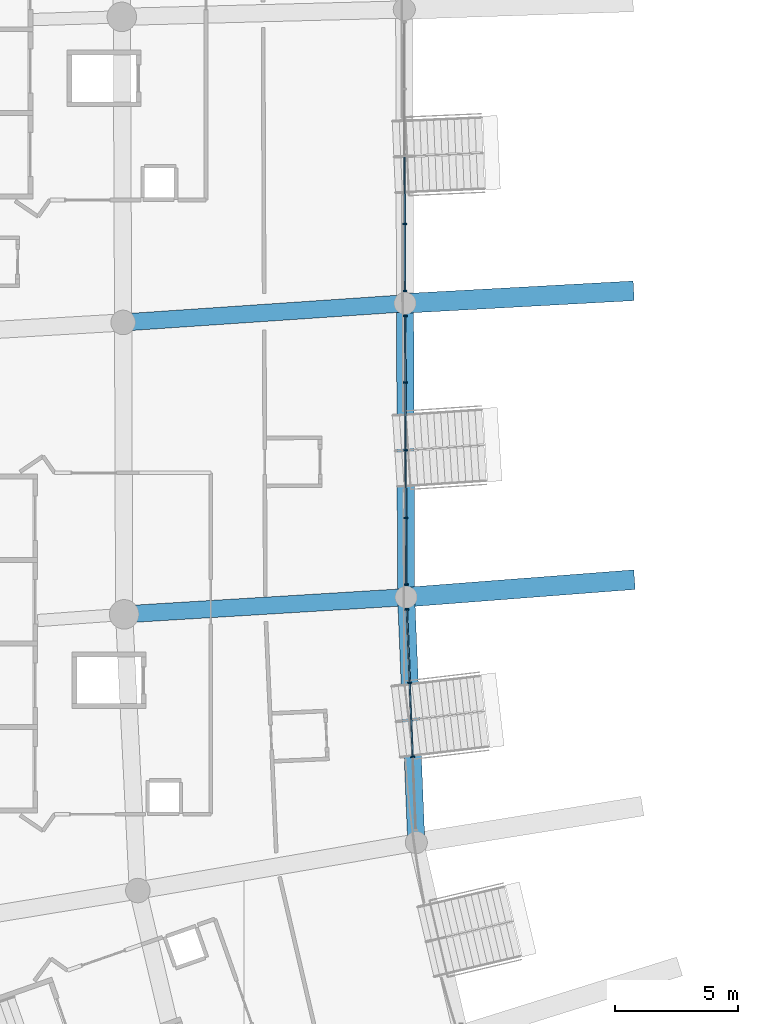
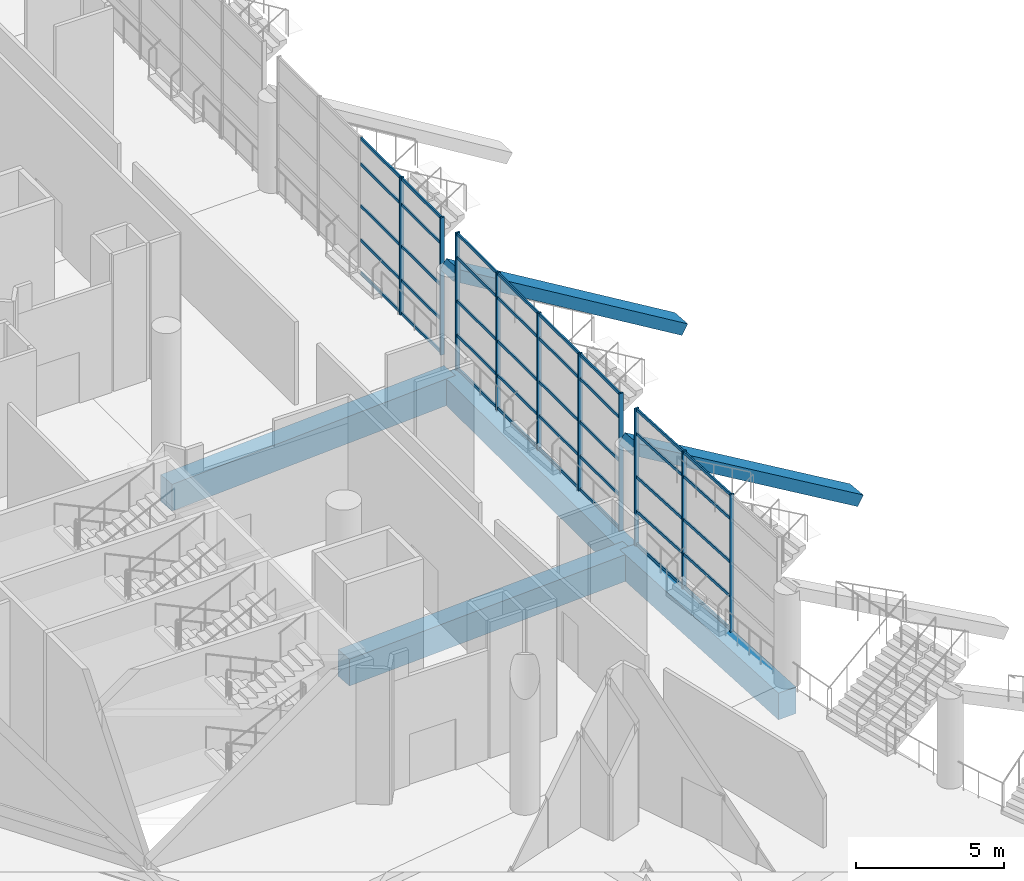
# One storey, part 7 of 173: 50 members, 6 beams, 3 elements without a shape of their own.
"""IFC4 building model written with IfcOpenShell, lengths in metres."""

import ifcopenshell
import ifcopenshell.guid

model = None  # the IFC model being written
_history = None  # IfcOwnerHistory: only IFC2X3 demands one
_inside = {}  # id of a spatial element -> (the spatial element, [elements in it])
_under = {}  # id of a project, library or spatial element -> (it, [spatial elements below it])
_declared = {}  # id of a project -> (the project, [libraries it declares])
_typed = {}  # id of a type object -> (the type object, [elements of that type])
_made_of = {}  # id of a material, layer set ... -> (it, [elements and type objects made of it])


def new_model(schema):
    """Start an empty IFC model of exactly this schema.

    Asked for "IFC4X3", IfcOpenShell would pick the latest addendum, in which some entities
    have other attributes; the version numbers below select the first issue.
    IFC2X3 requires an IfcOwnerHistory on every rooted entity: one is made here for all.
    """
    global model, _history
    if schema == "IFC4X3":
        model = ifcopenshell.file(schema_version=(4, 3, 0, 0))
    else:
        model = ifcopenshell.file(schema=schema)
    _inside.clear()
    _under.clear()
    _declared.clear()
    _typed.clear()
    _made_of.clear()
    _history = None
    if model.schema == "IFC2X3":
        org = make("IfcOrganization", Name="unknown")
        user = make(
            "IfcPersonAndOrganization",
            ThePerson=make("IfcPerson", FamilyName="unknown"),
            TheOrganization=org,
        )
        app = make(
            "IfcApplication",
            ApplicationDeveloper=org,
            Version="unknown",
            ApplicationFullName="unknown",
            ApplicationIdentifier="unknown",
        )
        _history = make(
            "IfcOwnerHistory",
            OwningUser=user,
            OwningApplication=app,
            ChangeAction="ADDED",
            CreationDate=0,
        )
    return model


def make(cls, **values):
    """One entity of the class cls with the attributes given. An attribute that is None is left unset."""
    return model.create_entity(
        cls, **{name: value for name, value in values.items() if value is not None}
    )


def rooted(cls, **values):
    """An entity with a GlobalId (a new one), such as an element, a storey or a relation."""
    return make(cls, GlobalId=ifcopenshell.guid.new(), OwnerHistory=_history, **values)


def si_unit(unit_type, name, prefix=None):
    """IfcSIUnit, for example si_unit("LENGTHUNIT", "METRE", prefix="MILLI")."""
    return make("IfcSIUnit", UnitType=unit_type, Prefix=prefix, Name=name)


def assignment(units):
    """IfcUnitAssignment: the units of a project."""
    return None if units is None else make("IfcUnitAssignment", Units=units)


def point(xyz):
    """IfcCartesianPoint."""
    return None if xyz is None else make("IfcCartesianPoint", Coordinates=xyz)


def direction(xyz):
    """IfcDirection."""
    return None if xyz is None else make("IfcDirection", DirectionRatios=xyz)


def frame(location, z_axis=None, x_axis=None):
    """IfcAxis2Placement3D, a coordinate frame: its origin and axes. An axis left out is left unset."""
    return make(
        "IfcAxis2Placement3D",
        Location=point(location),
        Axis=direction(z_axis),
        RefDirection=direction(x_axis),
    )


def frame_2d(location, x_axis=None):
    """IfcAxis2Placement2D, a coordinate frame in the plane: its origin and x axis."""
    return make(
        "IfcAxis2Placement2D", Location=point(location), RefDirection=direction(x_axis)
    )


def origin():
    """The frame at (0, 0, 0) with its axes left unset."""
    return frame((0.0, 0.0, 0.0))


def origin_2d():
    """The frame at (0, 0) in the plane with its x axis left unset."""
    return frame_2d((0.0, 0.0))


def place(relative_to, where):
    """IfcLocalPlacement: puts the frame where relative to a parent placement (None: the world)."""
    return make(
        "IfcLocalPlacement", PlacementRelTo=relative_to, RelativePlacement=where
    )


def context(
    kind, dimensions, precision=None, world=None, true_north=None, identifier=None
):
    """IfcGeometricRepresentationContext, for example the 3D "Model" context."""
    return make(
        "IfcGeometricRepresentationContext",
        ContextIdentifier=identifier,
        ContextType=kind,
        CoordinateSpaceDimension=dimensions,
        Precision=precision,
        WorldCoordinateSystem=world,
        TrueNorth=true_north,
    )


def subcontext(parent, identifier, kind, view, scale=None):
    """IfcGeometricRepresentationSubContext, for example "Body" below "Model"."""
    return make(
        "IfcGeometricRepresentationSubContext",
        ContextIdentifier=identifier,
        ContextType=kind,
        ParentContext=parent,
        TargetScale=scale,
        TargetView=view,
    )


def project(units=None, contexts=None):
    """IfcProject with its units and contexts."""
    return rooted(
        "IfcProject",
        Name="project",
        RepresentationContexts=contexts,
        UnitsInContext=assignment(units),
    )


def spatial(cls, under=None, at=None, **own):
    """A site, building, storey or space (cls), placed at a placement, below another one or the project."""
    s = rooted(cls, ObjectPlacement=at, **own)
    if under is not None:
        _under.setdefault(under.id(), (under, []))[1].append(s)
    return s


def profile(cls, at=None, kind="AREA", **sizes):
    """A parametric profile (cls). Its sizes go by their IFC names, for example OverallWidth=200.0."""
    return make(cls, ProfileType=kind, Position=at, **sizes)


def rectangle(**sizes):
    """IfcRectangleProfileDef."""
    return profile("IfcRectangleProfileDef", **sizes)


def extrude(swept, where, along, depth):
    """IfcExtrudedAreaSolid: the profile swept, set in the frame where, extruded along a direction by depth."""
    return make(
        "IfcExtrudedAreaSolid",
        SweptArea=swept,
        Position=where,
        ExtrudedDirection=direction(along),
        Depth=depth,
    )


def shape(context_of_items, identifier, shape_type, items):
    """IfcShapeRepresentation: the items that make up one representation, for example the "Body"."""
    return make(
        "IfcShapeRepresentation",
        ContextOfItems=context_of_items,
        RepresentationIdentifier=identifier,
        RepresentationType=shape_type,
        Items=items,
    )


def material(Name=None, Category=None):
    """IfcMaterial."""
    return make("IfcMaterial", Name=Name, Category=Category)


def layer(
    of_material, thickness, ventilated=None, Name=None, Category=None, Priority=None
):
    """IfcMaterialLayer: one layer of a wall or slab, of a material (None: an air gap)."""
    return make(
        "IfcMaterialLayer",
        Material=of_material,
        LayerThickness=thickness,
        IsVentilated=ventilated,
        Name=Name,
        Category=Category,
        Priority=Priority,
    )


def layer_set(layers, Name=None):
    """IfcMaterialLayerSet."""
    return make("IfcMaterialLayerSet", MaterialLayers=layers, LayerSetName=Name)


def material_profile(
    of_material, cross_section, Name=None, Category=None, Priority=None
):
    """IfcMaterialProfile: a cross section and its material."""
    return make(
        "IfcMaterialProfile",
        Name=Name,
        Material=of_material,
        Profile=cross_section,
        Priority=Priority,
        Category=Category,
    )


def profile_set(profiles, Name=None, composite=None):
    """IfcMaterialProfileSet."""
    return make(
        "IfcMaterialProfileSet",
        Name=Name,
        MaterialProfiles=profiles,
        CompositeProfile=composite,
    )


def made_of(thing, what):
    """Note that an element or type object is made of a material, layer set ...; save() writes the relation."""
    if what is not None:
        _made_of.setdefault(what.id(), (what, []))[1].append(thing)
    return thing


def type_object(cls, material=None, **own):
    """A type object (cls), such as IfcWallType, which elements share."""
    return made_of(rooted(cls, **own), material)


def element(
    cls,
    number,
    at=None,
    inside=None,
    cuts=None,
    type_object=None,
    material=None,
    context=None,
    identifier="Body",
    shape_type=None,
    held_by="IfcProductDefinitionShape",
    body=None,
    shapes=None,
    **own,
):
    """One element of the class cls, such as IfcWall. Its Tag is "e" and its number.

    at: its placement. inside: the storey or other place that contains it. cuts: it is an
    opening in that element (IfcRelVoidsElement). A single representation is given by context,
    identifier, shape_type and body (its items); several are given by shapes. held_by: the class
    of the entity that holds the representations. save() writes the other relations.
    """
    e = rooted(cls, Tag="e%d" % number, ObjectPlacement=at, **own)
    if body is not None:
        shapes = [shape(context, identifier, shape_type, body)]
    if shapes is not None:
        e.Representation = make(held_by, Representations=shapes)
    if inside is not None:
        _inside.setdefault(inside.id(), (inside, []))[1].append(e)
    if cuts is not None:
        rooted(
            "IfcRelVoidsElement", RelatingBuildingElement=cuts, RelatedOpeningElement=e
        )
    if type_object is not None:
        _typed.setdefault(type_object.id(), (type_object, []))[1].append(e)
    return made_of(e, material)


def aggregate(whole, parts):
    """IfcRelAggregates: a whole, such as a stair, and the parts it consists of."""
    return rooted("IfcRelAggregates", RelatingObject=whole, RelatedObjects=parts)


def save(model, path):
    """Write the relations noted so far, then the file.

    IfcRelAggregates (storeys below a building ...), IfcRelContainedInSpatialStructure (elements
    in a storey), IfcRelDefinesByType, IfcRelAssociatesMaterial and IfcRelDeclares: one each for
    every whole, place, type object, material and project.
    """
    for whole, parts in _under.values():
        aggregate(whole, parts)
    for where, things in _inside.values():
        rooted(
            "IfcRelContainedInSpatialStructure",
            RelatedElements=things,
            RelatingStructure=where,
        )
    for kind, things in _typed.values():
        rooted("IfcRelDefinesByType", RelatedObjects=things, RelatingType=kind)
    for what, things in _made_of.values():
        rooted("IfcRelAssociatesMaterial", RelatedObjects=things, RelatingMaterial=what)
    for by, libraries in _declared.values():
        rooted("IfcRelDeclares", RelatingContext=by, RelatedDefinitions=libraries)
    model.write(path)


model = new_model("IFC4")

# Units and contexts
model_context = context("Model", 3, precision=1e-05, world=origin(), true_north=direction((0.0, 1.0)))
body_context = subcontext(model_context, "Body", "Model", "MODEL_VIEW")
ifc_project = project(units=[si_unit("LENGTHUNIT", "METRE"), si_unit("AREAUNIT", "SQUARE_METRE"), si_unit("VOLUMEUNIT", "CUBIC_METRE"), si_unit("PLANEANGLEUNIT", "RADIAN"), si_unit("MASSUNIT", "GRAM", prefix="KILO")], contexts=[model_context])

# Site, building, storey
site_placement = place(None, origin())
site = spatial("IfcSite", under=ifc_project, at=site_placement, CompositionType="ELEMENT")
building_placement = place(site_placement, origin())
building = spatial("IfcBuilding", under=site, at=building_placement, Name="Meseta Stadium", CompositionType="ELEMENT")
storey_placement = place(building_placement, frame((0.0, 0.0, 18.0)))
storey = spatial("IfcBuildingStorey", under=building, at=storey_placement, Name="L03", CompositionType="ELEMENT", Elevation=18.0)

# Curtain wall, members
ifc_material_1 = material(Name="Aluminium", Category="aluminium")
ifc_layer = layer(ifc_material_1, 0.25)
ifc_layer_set = layer_set([ifc_layer], Name="Media Centre glazing curtain wall")
curtain_wall_type = type_object("IfcCurtainWallType", Name="Media Centre glazing curtain wall", PredefinedType="NOTDEFINED", material=ifc_layer_set)
curtain_wall_1_placement = place(storey_placement, origin())
curtain_wall_1 = element("IfcCurtainWall", 1, at=curtain_wall_1_placement, inside=storey, type_object=curtain_wall_type, Name="Media Centre glazing bay 34", PredefinedType="NOTDEFINED")
ifc_material_2 = material(Name="Aluminium", Category="aluminium")
ifc_material_profile_1 = material_profile(ifc_material_2, rectangle(XDim=0.159912109375, YDim=0.06005859375, at=origin_2d()), Name="CW 160x60")
ifc_profile_set_1 = profile_set([ifc_material_profile_1], Name="Aluminium")
member_type_1 = type_object("IfcMemberType", Name="CW mullion 60x160", PredefinedType="MULLION", material=ifc_profile_set_1)
member_1_placement = place(storey_placement, frame((-73.459716796875, -26.674072265625, 0.0), z_axis=(0.0, 0.0, 1.0), x_axis=(0.999996605564, 0.002605544184, 0.0)))
member_1 = element("IfcMember", 2, at=member_1_placement, type_object=member_type_1, Name="CWM mullion 4", PredefinedType="MULLION", context=body_context, shape_type="SweptSolid", body=[
    extrude(rectangle(XDim=0.159912109375, YDim=0.06005859375, at=origin_2d()), origin(), (0.0, 0.0, 1.0), 5.64990234375),
])
member_2_placement = place(storey_placement, frame((-73.45263671875, -29.39453125, 0.0), z_axis=(0.0, 0.0, 1.0), x_axis=(0.999996605564, 0.002605544184, 0.0)))
member_2 = element("IfcMember", 3, at=member_2_placement, type_object=member_type_1, Name="CWM mullion 5", PredefinedType="MULLION", context=body_context, shape_type="SweptSolid", body=[
    extrude(rectangle(XDim=0.159912109375, YDim=0.06005859375, at=origin_2d()), origin(), (0.0, 0.0, 1.0), 5.64990234375),
])

curtain_wall_2_placement = place(storey_placement, origin())
curtain_wall_2 = element("IfcCurtainWall", 4, at=curtain_wall_2_placement, inside=storey, type_object=curtain_wall_type, Name="Media Centre glazing bay 35", PredefinedType="NOTDEFINED")
member_3_placement = place(storey_placement, frame((-73.44921875, -30.41357421875, 0.0), z_axis=(0.0, 0.0, 1.0), x_axis=(0.999992414042, 0.003895107102, 0.0)))
member_3 = element("IfcMember", 5, at=member_3_placement, type_object=member_type_1, Name="CWM mullion 1", PredefinedType="MULLION", context=body_context, shape_type="SweptSolid", body=[
    extrude(rectangle(XDim=0.159912109375, YDim=0.06005859375, at=origin_2d()), origin(), (0.0, 0.0, 1.0), 5.64990234375),
])
member_4_placement = place(storey_placement, frame((-73.438720703125, -33.13330078125, 0.0), z_axis=(0.0, 0.0, 1.0), x_axis=(0.999992414042, 0.003895107102, 0.0)))
member_4 = element("IfcMember", 6, at=member_4_placement, type_object=member_type_1, Name="CWM mullion 2", PredefinedType="MULLION", context=body_context, shape_type="SweptSolid", body=[
    extrude(rectangle(XDim=0.159912109375, YDim=0.06005859375, at=origin_2d()), origin(), (0.0, 0.0, 1.0), 5.64990234375),
])
member_5_placement = place(storey_placement, frame((-73.427978515625, -35.8828125, 0.0), z_axis=(0.0, 0.0, 1.0), x_axis=(0.999992414042, 0.003895107102, 0.0)))
member_5 = element("IfcMember", 7, at=member_5_placement, type_object=member_type_1, Name="CWM mullion 3", PredefinedType="MULLION", context=body_context, shape_type="SweptSolid", body=[
    extrude(rectangle(XDim=0.159912109375, YDim=0.06005859375, at=origin_2d()), origin(), (0.0, 0.0, 1.0), 5.64990234375),
])
member_6_placement = place(storey_placement, frame((-73.417236328125, -38.63232421875, 0.0), z_axis=(0.0, 0.0, 1.0), x_axis=(0.999992414042, 0.003895107102, 0.0)))
member_6 = element("IfcMember", 8, at=member_6_placement, type_object=member_type_1, Name="CWM mullion 4", PredefinedType="MULLION", context=body_context, shape_type="SweptSolid", body=[
    extrude(rectangle(XDim=0.159912109375, YDim=0.06005859375, at=origin_2d()), origin(), (0.0, 0.0, 1.0), 5.64990234375),
])
member_7_placement = place(storey_placement, frame((-73.40673828125, -41.35205078125, 0.0), z_axis=(0.0, 0.0, 1.0), x_axis=(0.999992414042, 0.003895107102, 0.0)))
member_7 = element("IfcMember", 9, at=member_7_placement, type_object=member_type_1, Name="CWM mullion 5", PredefinedType="MULLION", context=body_context, shape_type="SweptSolid", body=[
    extrude(rectangle(XDim=0.159912109375, YDim=0.06005859375, at=origin_2d()), origin(), (0.0, 0.0, 1.0), 5.64990234375),
])

curtain_wall_3_placement = place(storey_placement, origin())
curtain_wall_3 = element("IfcCurtainWall", 10, at=curtain_wall_3_placement, inside=storey, type_object=curtain_wall_type, Name="Media Centre glazing bay 36", PredefinedType="NOTDEFINED")
member_8_placement = place(storey_placement, frame((-73.3837890625, -42.37109375, 0.0), z_axis=(0.0, 0.0, 1.0), x_axis=(0.999147810841, 0.041275320623, 0.0)))
member_8 = element("IfcMember", 11, at=member_8_placement, type_object=member_type_1, Name="CWM mullion 1", PredefinedType="MULLION", context=body_context, shape_type="SweptSolid", body=[
    extrude(rectangle(XDim=0.159912109375, YDim=0.06005859375, at=origin_2d()), origin(), (0.0, 0.0, 1.0), 5.64990234375),
])
member_9_placement = place(storey_placement, frame((-73.2607421875, -45.34912109375, 0.0), z_axis=(0.0, 0.0, 1.0), x_axis=(0.999147810841, 0.041275320623, 0.0)))
member_9 = element("IfcMember", 12, at=member_9_placement, type_object=member_type_1, Name="CWM mullion 2", PredefinedType="MULLION", context=body_context, shape_type="SweptSolid", body=[
    extrude(rectangle(XDim=0.159912109375, YDim=0.06005859375, at=origin_2d()), origin(), (0.0, 0.0, 1.0), 5.64990234375),
])
member_10_placement = place(storey_placement, frame((-73.136474609375, -48.357177734375, 0.0), z_axis=(0.0, 0.0, 1.0), x_axis=(0.999147810841, 0.041275320623, 0.0)))
member_10 = element("IfcMember", 13, at=member_10_placement, type_object=member_type_1, Name="CWM mullion 3", PredefinedType="MULLION", context=body_context, shape_type="SweptSolid", body=[
    extrude(rectangle(XDim=0.159912109375, YDim=0.06005859375, at=origin_2d()), origin(), (0.0, 0.0, 1.0), 5.64990234375),
])

# Member
ifc_material_3 = material(Name="Aluminium", Category="aluminium")
ifc_material_profile_2 = material_profile(ifc_material_3, rectangle(XDim=0.06005859375, YDim=0.1201171875, at=origin_2d()), Name="CW 60x120")
ifc_profile_set_2 = profile_set([ifc_material_profile_2], Name="Aluminium")
member_type_2 = type_object("IfcMemberType", Name="CW transom 60x120", PredefinedType="USERDEFINED", material=ifc_profile_set_2)
member_11_placement = place(storey_placement, frame((-73.466796875, -23.95361328125, 0.06005859375), z_axis=(0.002631569835, -0.999996537414, 0.0), x_axis=(0.999996537414, 0.002631569835, 0.0)))
member_11 = element("IfcMember", 14, at=member_11_placement, type_object=member_type_2, Name="CWM transom 3.1", ObjectType="TRANSOM", PredefinedType="USERDEFINED", context=body_context, shape_type="SweptSolid", body=[
    extrude(rectangle(XDim=0.06005859375, YDim=0.1201171875, at=origin_2d()), origin(), (0.0, 0.0, 1.0), 2.6904296875),
])

member_12_placement = place(storey_placement, frame((-73.466796875, -23.95361328125, 1.41259765625), z_axis=(0.002631569835, -0.999996537414, 0.0), x_axis=(0.999996537414, 0.002631569835, 0.0)))
member_12 = element("IfcMember", 15, at=member_12_placement, type_object=member_type_2, Name="CWM transom 3.2", ObjectType="TRANSOM", PredefinedType="USERDEFINED", context=body_context, shape_type="SweptSolid", body=[
    extrude(rectangle(XDim=0.06005859375, YDim=0.1201171875, at=origin_2d()), origin(), (0.0, 0.0, 1.0), 2.6904296875),
])

member_13_placement = place(storey_placement, frame((-73.466796875, -23.95361328125, 2.824951171875), z_axis=(0.002631569835, -0.999996537414, 0.0), x_axis=(0.999996537414, 0.002631569835, 0.0)))
member_13 = element("IfcMember", 16, at=member_13_placement, type_object=member_type_2, Name="CWM transom 3.3", ObjectType="TRANSOM", PredefinedType="USERDEFINED", context=body_context, shape_type="SweptSolid", body=[
    extrude(rectangle(XDim=0.06005859375, YDim=0.1201171875, at=origin_2d()), origin(), (0.0, 0.0, 1.0), 2.6904296875),
])

member_14_placement = place(storey_placement, frame((-73.466796875, -23.95361328125, 4.53857421875), z_axis=(0.002631569835, -0.999996537414, 0.0), x_axis=(0.999996537414, 0.002631569835, 0.0)))
member_14 = element("IfcMember", 17, at=member_14_placement, type_object=member_type_2, Name="CWM transom 3.4", ObjectType="TRANSOM", PredefinedType="USERDEFINED", context=body_context, shape_type="SweptSolid", body=[
    extrude(rectangle(XDim=0.06005859375, YDim=0.1201171875, at=origin_2d()), origin(), (0.0, 0.0, 1.0), 2.6904296875),
])

member_15_placement = place(storey_placement, frame((-73.466796875, -23.95361328125, 5.590087890625), z_axis=(0.002631569835, -0.999996537414, 0.0), x_axis=(0.999996537414, 0.002631569835, 0.0)))
member_15 = element("IfcMember", 18, at=member_15_placement, type_object=member_type_2, Name="CWM transom 3.5", ObjectType="TRANSOM", PredefinedType="USERDEFINED", context=body_context, shape_type="SweptSolid", body=[
    extrude(rectangle(XDim=0.06005859375, YDim=0.1201171875, at=origin_2d()), origin(), (0.0, 0.0, 1.0), 2.6904296875),
])

member_16_placement = place(storey_placement, frame((-73.459716796875, -26.7041015625, 0.06005859375), z_axis=(0.002661273498, -0.999996458805, 0.0), x_axis=(0.999996458805, 0.002661273498, 0.0)))
member_16 = element("IfcMember", 19, at=member_16_placement, type_object=member_type_2, Name="CWM transom 4.1", ObjectType="TRANSOM", PredefinedType="USERDEFINED", context=body_context, shape_type="SweptSolid", body=[
    extrude(rectangle(XDim=0.06005859375, YDim=0.1201171875, at=origin_2d()), origin(), (0.0, 0.0, 1.0), 2.660400390625),
])

member_17_placement = place(storey_placement, frame((-73.459716796875, -26.7041015625, 1.41259765625), z_axis=(0.002661273498, -0.999996458805, 0.0), x_axis=(0.999996458805, 0.002661273498, 0.0)))
member_17 = element("IfcMember", 20, at=member_17_placement, type_object=member_type_2, Name="CWM transom 4.2", ObjectType="TRANSOM", PredefinedType="USERDEFINED", context=body_context, shape_type="SweptSolid", body=[
    extrude(rectangle(XDim=0.06005859375, YDim=0.1201171875, at=origin_2d()), origin(), (0.0, 0.0, 1.0), 2.660400390625),
])

member_18_placement = place(storey_placement, frame((-73.459716796875, -26.7041015625, 2.824951171875), z_axis=(0.002661273498, -0.999996458805, 0.0), x_axis=(0.999996458805, 0.002661273498, 0.0)))
member_18 = element("IfcMember", 21, at=member_18_placement, type_object=member_type_2, Name="CWM transom 4.3", ObjectType="TRANSOM", PredefinedType="USERDEFINED", context=body_context, shape_type="SweptSolid", body=[
    extrude(rectangle(XDim=0.06005859375, YDim=0.1201171875, at=origin_2d()), origin(), (0.0, 0.0, 1.0), 2.660400390625),
])

member_19_placement = place(storey_placement, frame((-73.459716796875, -26.7041015625, 4.53857421875), z_axis=(0.002661273498, -0.999996458805, 0.0), x_axis=(0.999996458805, 0.002661273498, 0.0)))
member_19 = element("IfcMember", 22, at=member_19_placement, type_object=member_type_2, Name="CWM transom 4.4", ObjectType="TRANSOM", PredefinedType="USERDEFINED", context=body_context, shape_type="SweptSolid", body=[
    extrude(rectangle(XDim=0.06005859375, YDim=0.1201171875, at=origin_2d()), origin(), (0.0, 0.0, 1.0), 2.660400390625),
])

member_20_placement = place(storey_placement, frame((-73.459716796875, -26.7041015625, 5.590087890625), z_axis=(0.002661273498, -0.999996458805, 0.0), x_axis=(0.999996458805, 0.002661273498, 0.0)))
member_20 = element("IfcMember", 23, at=member_20_placement, type_object=member_type_2, Name="CWM transom 4.5", ObjectType="TRANSOM", PredefinedType="USERDEFINED", context=body_context, shape_type="SweptSolid", body=[
    extrude(rectangle(XDim=0.06005859375, YDim=0.1201171875, at=origin_2d()), origin(), (0.0, 0.0, 1.0), 2.660400390625),
])

aggregate(curtain_wall_1, [member_1, member_2, member_11, member_12, member_13, member_14, member_15, member_16, member_17, member_18, member_19, member_20])

member_21_placement = place(storey_placement, frame((-73.44921875, -30.443603515625, 0.06005859375), z_axis=(0.003947096111, -0.999992210186, 0.0), x_axis=(0.999992210186, 0.003947096111, 0.0)))
member_21 = element("IfcMember", 24, at=member_21_placement, type_object=member_type_2, Name="CWM transom 1.1", ObjectType="TRANSOM", PredefinedType="USERDEFINED", context=body_context, shape_type="SweptSolid", body=[
    extrude(rectangle(XDim=0.06005859375, YDim=0.1201171875, at=origin_2d()), origin(), (0.0, 0.0, 1.0), 2.65966796875),
])

member_22_placement = place(storey_placement, frame((-73.44921875, -30.443603515625, 1.41259765625), z_axis=(0.003947096111, -0.999992210186, 0.0), x_axis=(0.999992210186, 0.003947096111, 0.0)))
member_22 = element("IfcMember", 25, at=member_22_placement, type_object=member_type_2, Name="CWM transom 1.2", ObjectType="TRANSOM", PredefinedType="USERDEFINED", context=body_context, shape_type="SweptSolid", body=[
    extrude(rectangle(XDim=0.06005859375, YDim=0.1201171875, at=origin_2d()), origin(), (0.0, 0.0, 1.0), 2.65966796875),
])

member_23_placement = place(storey_placement, frame((-73.44921875, -30.443603515625, 2.824951171875), z_axis=(0.003947096111, -0.999992210186, 0.0), x_axis=(0.999992210186, 0.003947096111, 0.0)))
member_23 = element("IfcMember", 26, at=member_23_placement, type_object=member_type_2, Name="CWM transom 1.3", ObjectType="TRANSOM", PredefinedType="USERDEFINED", context=body_context, shape_type="SweptSolid", body=[
    extrude(rectangle(XDim=0.06005859375, YDim=0.1201171875, at=origin_2d()), origin(), (0.0, 0.0, 1.0), 2.65966796875),
])

member_24_placement = place(storey_placement, frame((-73.44921875, -30.443603515625, 4.609130859375), z_axis=(0.003947096111, -0.999992210186, 0.0), x_axis=(0.999992210186, 0.003947096111, 0.0)))
member_24 = element("IfcMember", 27, at=member_24_placement, type_object=member_type_2, Name="CWM transom 1.4", ObjectType="TRANSOM", PredefinedType="USERDEFINED", context=body_context, shape_type="SweptSolid", body=[
    extrude(rectangle(XDim=0.06005859375, YDim=0.1201171875, at=origin_2d()), origin(), (0.0, 0.0, 1.0), 2.65966796875),
])

member_25_placement = place(storey_placement, frame((-73.44921875, -30.443603515625, 5.590087890625), z_axis=(0.003947096111, -0.999992210186, 0.0), x_axis=(0.999992210186, 0.003947096111, 0.0)))
member_25 = element("IfcMember", 28, at=member_25_placement, type_object=member_type_2, Name="CWM transom 1.5", ObjectType="TRANSOM", PredefinedType="USERDEFINED", context=body_context, shape_type="SweptSolid", body=[
    extrude(rectangle(XDim=0.06005859375, YDim=0.1201171875, at=origin_2d()), origin(), (0.0, 0.0, 1.0), 2.65966796875),
])

member_26_placement = place(storey_placement, frame((-73.4384765625, -33.163330078125, 0.06005859375), z_axis=(0.00390338348, -0.99999238177, 0.0), x_axis=(0.99999238177, 0.00390338348, 0.0)))
member_26 = element("IfcMember", 29, at=member_26_placement, type_object=member_type_2, Name="CWM transom 2.1", ObjectType="TRANSOM", PredefinedType="USERDEFINED", context=body_context, shape_type="SweptSolid", body=[
    extrude(rectangle(XDim=0.06005859375, YDim=0.1201171875, at=origin_2d()), origin(), (0.0, 0.0, 1.0), 2.689453125),
])

member_27_placement = place(storey_placement, frame((-73.4384765625, -33.163330078125, 1.41259765625), z_axis=(0.00390338348, -0.99999238177, 0.0), x_axis=(0.99999238177, 0.00390338348, 0.0)))
member_27 = element("IfcMember", 30, at=member_27_placement, type_object=member_type_2, Name="CWM transom 2.2", ObjectType="TRANSOM", PredefinedType="USERDEFINED", context=body_context, shape_type="SweptSolid", body=[
    extrude(rectangle(XDim=0.06005859375, YDim=0.1201171875, at=origin_2d()), origin(), (0.0, 0.0, 1.0), 2.689453125),
])

member_28_placement = place(storey_placement, frame((-73.4384765625, -33.163330078125, 2.824951171875), z_axis=(0.00390338348, -0.99999238177, 0.0), x_axis=(0.99999238177, 0.00390338348, 0.0)))
member_28 = element("IfcMember", 31, at=member_28_placement, type_object=member_type_2, Name="CWM transom 2.3", ObjectType="TRANSOM", PredefinedType="USERDEFINED", context=body_context, shape_type="SweptSolid", body=[
    extrude(rectangle(XDim=0.06005859375, YDim=0.1201171875, at=origin_2d()), origin(), (0.0, 0.0, 1.0), 2.689453125),
])

member_29_placement = place(storey_placement, frame((-73.4384765625, -33.163330078125, 4.609130859375), z_axis=(0.00390338348, -0.99999238177, 0.0), x_axis=(0.99999238177, 0.00390338348, 0.0)))
member_29 = element("IfcMember", 32, at=member_29_placement, type_object=member_type_2, Name="CWM transom 2.4", ObjectType="TRANSOM", PredefinedType="USERDEFINED", context=body_context, shape_type="SweptSolid", body=[
    extrude(rectangle(XDim=0.06005859375, YDim=0.1201171875, at=origin_2d()), origin(), (0.0, 0.0, 1.0), 2.689453125),
])

member_30_placement = place(storey_placement, frame((-73.4384765625, -33.163330078125, 5.590087890625), z_axis=(0.00390338348, -0.99999238177, 0.0), x_axis=(0.99999238177, 0.00390338348, 0.0)))
member_30 = element("IfcMember", 33, at=member_30_placement, type_object=member_type_2, Name="CWM transom 2.5", ObjectType="TRANSOM", PredefinedType="USERDEFINED", context=body_context, shape_type="SweptSolid", body=[
    extrude(rectangle(XDim=0.06005859375, YDim=0.1201171875, at=origin_2d()), origin(), (0.0, 0.0, 1.0), 2.689453125),
])

member_31_placement = place(storey_placement, frame((-73.427978515625, -35.912841796875, 0.06005859375), z_axis=(0.00390338348, -0.99999238177, 0.0), x_axis=(0.99999238177, 0.00390338348, 0.0)))
member_31 = element("IfcMember", 34, at=member_31_placement, type_object=member_type_2, Name="CWM transom 3.1", ObjectType="TRANSOM", PredefinedType="USERDEFINED", context=body_context, shape_type="SweptSolid", body=[
    extrude(rectangle(XDim=0.06005859375, YDim=0.1201171875, at=origin_2d()), origin(), (0.0, 0.0, 1.0), 2.689453125),
])

member_32_placement = place(storey_placement, frame((-73.427978515625, -35.912841796875, 1.41259765625), z_axis=(0.00390338348, -0.99999238177, 0.0), x_axis=(0.99999238177, 0.00390338348, 0.0)))
member_32 = element("IfcMember", 35, at=member_32_placement, type_object=member_type_2, Name="CWM transom 3.2", ObjectType="TRANSOM", PredefinedType="USERDEFINED", context=body_context, shape_type="SweptSolid", body=[
    extrude(rectangle(XDim=0.06005859375, YDim=0.1201171875, at=origin_2d()), origin(), (0.0, 0.0, 1.0), 2.689453125),
])

member_33_placement = place(storey_placement, frame((-73.427978515625, -35.912841796875, 2.824951171875), z_axis=(0.00390338348, -0.99999238177, 0.0), x_axis=(0.99999238177, 0.00390338348, 0.0)))
member_33 = element("IfcMember", 36, at=member_33_placement, type_object=member_type_2, Name="CWM transom 3.3", ObjectType="TRANSOM", PredefinedType="USERDEFINED", context=body_context, shape_type="SweptSolid", body=[
    extrude(rectangle(XDim=0.06005859375, YDim=0.1201171875, at=origin_2d()), origin(), (0.0, 0.0, 1.0), 2.689453125),
])

member_34_placement = place(storey_placement, frame((-73.427978515625, -35.912841796875, 4.609130859375), z_axis=(0.00390338348, -0.99999238177, 0.0), x_axis=(0.99999238177, 0.00390338348, 0.0)))
member_34 = element("IfcMember", 37, at=member_34_placement, type_object=member_type_2, Name="CWM transom 3.4", ObjectType="TRANSOM", PredefinedType="USERDEFINED", context=body_context, shape_type="SweptSolid", body=[
    extrude(rectangle(XDim=0.06005859375, YDim=0.1201171875, at=origin_2d()), origin(), (0.0, 0.0, 1.0), 2.689453125),
])

member_35_placement = place(storey_placement, frame((-73.427978515625, -35.912841796875, 5.590087890625), z_axis=(0.00390338348, -0.99999238177, 0.0), x_axis=(0.99999238177, 0.00390338348, 0.0)))
member_35 = element("IfcMember", 38, at=member_35_placement, type_object=member_type_2, Name="CWM transom 3.5", ObjectType="TRANSOM", PredefinedType="USERDEFINED", context=body_context, shape_type="SweptSolid", body=[
    extrude(rectangle(XDim=0.06005859375, YDim=0.1201171875, at=origin_2d()), origin(), (0.0, 0.0, 1.0), 2.689453125),
])

member_36_placement = place(storey_placement, frame((-73.417236328125, -38.662353515625, 0.06005859375), z_axis=(0.003947096111, -0.999992210186, 0.0), x_axis=(0.999992210186, 0.003947096111, 0.0)))
member_36 = element("IfcMember", 39, at=member_36_placement, type_object=member_type_2, Name="CWM transom 4.1", ObjectType="TRANSOM", PredefinedType="USERDEFINED", context=body_context, shape_type="SweptSolid", body=[
    extrude(rectangle(XDim=0.06005859375, YDim=0.1201171875, at=origin_2d()), origin(), (0.0, 0.0, 1.0), 2.65966796875),
])

member_37_placement = place(storey_placement, frame((-73.417236328125, -38.662353515625, 1.41259765625), z_axis=(0.003947096111, -0.999992210186, 0.0), x_axis=(0.999992210186, 0.003947096111, 0.0)))
member_37 = element("IfcMember", 40, at=member_37_placement, type_object=member_type_2, Name="CWM transom 4.2", ObjectType="TRANSOM", PredefinedType="USERDEFINED", context=body_context, shape_type="SweptSolid", body=[
    extrude(rectangle(XDim=0.06005859375, YDim=0.1201171875, at=origin_2d()), origin(), (0.0, 0.0, 1.0), 2.65966796875),
])

member_38_placement = place(storey_placement, frame((-73.417236328125, -38.662353515625, 2.824951171875), z_axis=(0.003947096111, -0.999992210186, 0.0), x_axis=(0.999992210186, 0.003947096111, 0.0)))
member_38 = element("IfcMember", 41, at=member_38_placement, type_object=member_type_2, Name="CWM transom 4.3", ObjectType="TRANSOM", PredefinedType="USERDEFINED", context=body_context, shape_type="SweptSolid", body=[
    extrude(rectangle(XDim=0.06005859375, YDim=0.1201171875, at=origin_2d()), origin(), (0.0, 0.0, 1.0), 2.65966796875),
])

member_39_placement = place(storey_placement, frame((-73.417236328125, -38.662353515625, 4.609130859375), z_axis=(0.003947096111, -0.999992210186, 0.0), x_axis=(0.999992210186, 0.003947096111, 0.0)))
member_39 = element("IfcMember", 42, at=member_39_placement, type_object=member_type_2, Name="CWM transom 4.4", ObjectType="TRANSOM", PredefinedType="USERDEFINED", context=body_context, shape_type="SweptSolid", body=[
    extrude(rectangle(XDim=0.06005859375, YDim=0.1201171875, at=origin_2d()), origin(), (0.0, 0.0, 1.0), 2.65966796875),
])

member_40_placement = place(storey_placement, frame((-73.417236328125, -38.662353515625, 5.590087890625), z_axis=(0.003947096111, -0.999992210186, 0.0), x_axis=(0.999992210186, 0.003947096111, 0.0)))
member_40 = element("IfcMember", 43, at=member_40_placement, type_object=member_type_2, Name="CWM transom 4.5", ObjectType="TRANSOM", PredefinedType="USERDEFINED", context=body_context, shape_type="SweptSolid", body=[
    extrude(rectangle(XDim=0.06005859375, YDim=0.1201171875, at=origin_2d()), origin(), (0.0, 0.0, 1.0), 2.65966796875),
])

aggregate(curtain_wall_2, [member_3, member_4, member_5, member_6, member_7, member_21, member_22, member_23, member_24, member_25, member_26, member_27, member_28, member_29, member_30, member_31, member_32, member_33, member_34, member_35, member_36, member_37, member_38, member_39, member_40])

member_41_placement = place(storey_placement, frame((-73.38232421875, -42.40087890625, 0.06005859375), z_axis=(0.04120983881, -0.999150513779, 0.0), x_axis=(0.999150513779, 0.04120983881, 0.0)))
member_41 = element("IfcMember", 44, at=member_41_placement, type_object=member_type_2, Name="CWM transom 1.1", ObjectType="TRANSOM", PredefinedType="USERDEFINED", context=body_context, shape_type="SweptSolid", body=[
    extrude(rectangle(XDim=0.06005859375, YDim=0.1201171875, at=origin_2d()), origin(), (0.0, 0.0, 1.0), 2.920654296875),
])

member_42_placement = place(storey_placement, frame((-73.38232421875, -42.40087890625, 1.41259765625), z_axis=(0.04120983881, -0.999150513779, 0.0), x_axis=(0.999150513779, 0.04120983881, 0.0)))
member_42 = element("IfcMember", 45, at=member_42_placement, type_object=member_type_2, Name="CWM transom 1.2", ObjectType="TRANSOM", PredefinedType="USERDEFINED", context=body_context, shape_type="SweptSolid", body=[
    extrude(rectangle(XDim=0.06005859375, YDim=0.1201171875, at=origin_2d()), origin(), (0.0, 0.0, 1.0), 2.920654296875),
])

member_43_placement = place(storey_placement, frame((-73.38232421875, -42.40087890625, 2.824951171875), z_axis=(0.04120983881, -0.999150513779, 0.0), x_axis=(0.999150513779, 0.04120983881, 0.0)))
member_43 = element("IfcMember", 46, at=member_43_placement, type_object=member_type_2, Name="CWM transom 1.3", ObjectType="TRANSOM", PredefinedType="USERDEFINED", context=body_context, shape_type="SweptSolid", body=[
    extrude(rectangle(XDim=0.06005859375, YDim=0.1201171875, at=origin_2d()), origin(), (0.0, 0.0, 1.0), 2.920654296875),
])

member_44_placement = place(storey_placement, frame((-73.38232421875, -42.40087890625, 4.604736328125), z_axis=(0.04120983881, -0.999150513779, 0.0), x_axis=(0.999150513779, 0.04120983881, 0.0)))
member_44 = element("IfcMember", 47, at=member_44_placement, type_object=member_type_2, Name="CWM transom 1.4", ObjectType="TRANSOM", PredefinedType="USERDEFINED", context=body_context, shape_type="SweptSolid", body=[
    extrude(rectangle(XDim=0.06005859375, YDim=0.1201171875, at=origin_2d()), origin(), (0.0, 0.0, 1.0), 2.920654296875),
])

member_45_placement = place(storey_placement, frame((-73.38232421875, -42.40087890625, 5.590087890625), z_axis=(0.04120983881, -0.999150513779, 0.0), x_axis=(0.999150513779, 0.04120983881, 0.0)))
member_45 = element("IfcMember", 48, at=member_45_placement, type_object=member_type_2, Name="CWM transom 1.5", ObjectType="TRANSOM", PredefinedType="USERDEFINED", context=body_context, shape_type="SweptSolid", body=[
    extrude(rectangle(XDim=0.06005859375, YDim=0.1201171875, at=origin_2d()), origin(), (0.0, 0.0, 1.0), 2.920654296875),
])

member_46_placement = place(storey_placement, frame((-73.259521484375, -45.379150390625, 0.06005859375), z_axis=(0.041289810258, -0.999147212161, 0.0), x_axis=(0.999147212161, 0.041289810258, 0.0)))
member_46 = element("IfcMember", 49, at=member_46_placement, type_object=member_type_2, Name="CWM transom 2.1", ObjectType="TRANSOM", PredefinedType="USERDEFINED", context=body_context, shape_type="SweptSolid", body=[
    extrude(rectangle(XDim=0.06005859375, YDim=0.1201171875, at=origin_2d()), origin(), (0.0, 0.0, 1.0), 2.950439453125),
])

member_47_placement = place(storey_placement, frame((-73.259521484375, -45.379150390625, 1.41259765625), z_axis=(0.041289810258, -0.999147212161, 0.0), x_axis=(0.999147212161, 0.041289810258, 0.0)))
member_47 = element("IfcMember", 50, at=member_47_placement, type_object=member_type_2, Name="CWM transom 2.2", ObjectType="TRANSOM", PredefinedType="USERDEFINED", context=body_context, shape_type="SweptSolid", body=[
    extrude(rectangle(XDim=0.06005859375, YDim=0.1201171875, at=origin_2d()), origin(), (0.0, 0.0, 1.0), 2.950439453125),
])

member_48_placement = place(storey_placement, frame((-73.259521484375, -45.379150390625, 2.824951171875), z_axis=(0.041289810258, -0.999147212161, 0.0), x_axis=(0.999147212161, 0.041289810258, 0.0)))
member_48 = element("IfcMember", 51, at=member_48_placement, type_object=member_type_2, Name="CWM transom 2.3", ObjectType="TRANSOM", PredefinedType="USERDEFINED", context=body_context, shape_type="SweptSolid", body=[
    extrude(rectangle(XDim=0.06005859375, YDim=0.1201171875, at=origin_2d()), origin(), (0.0, 0.0, 1.0), 2.950439453125),
])

member_49_placement = place(storey_placement, frame((-73.259521484375, -45.379150390625, 4.604736328125), z_axis=(0.041289810258, -0.999147212161, 0.0), x_axis=(0.999147212161, 0.041289810258, 0.0)))
member_49 = element("IfcMember", 52, at=member_49_placement, type_object=member_type_2, Name="CWM transom 2.4", ObjectType="TRANSOM", PredefinedType="USERDEFINED", context=body_context, shape_type="SweptSolid", body=[
    extrude(rectangle(XDim=0.06005859375, YDim=0.1201171875, at=origin_2d()), origin(), (0.0, 0.0, 1.0), 2.950439453125),
])

member_50_placement = place(storey_placement, frame((-73.259521484375, -45.379150390625, 5.590087890625), z_axis=(0.041289810258, -0.999147212161, 0.0), x_axis=(0.999147212161, 0.041289810258, 0.0)))
member_50 = element("IfcMember", 53, at=member_50_placement, type_object=member_type_2, Name="CWM transom 2.5", ObjectType="TRANSOM", PredefinedType="USERDEFINED", context=body_context, shape_type="SweptSolid", body=[
    extrude(rectangle(XDim=0.06005859375, YDim=0.1201171875, at=origin_2d()), origin(), (0.0, 0.0, 1.0), 2.950439453125),
])

aggregate(curtain_wall_3, [member_8, member_9, member_10, member_41, member_42, member_43, member_44, member_45, member_46, member_47, member_48, member_49, member_50])

# Beams
ifc_material_4 = material(Name="Concrete C40/50", Category="concrete")
ifc_material_profile_3 = material_profile(ifc_material_4, rectangle(XDim=0.699951171875, YDim=1.10009765625, at=origin_2d()), Name="RC 700x1100")
ifc_profile_set_3 = profile_set([ifc_material_profile_3], Name="Concrete C40/50")
beam_type_1 = type_object("IfcBeamType", Name="RC beam 700x1100", PredefinedType="BEAM", material=ifc_profile_set_3)
beam_1_placement = place(storey_placement, frame((-73.451416015625, -29.904052734375, -0.89990234375), z_axis=(0.003899441576, -0.999992397149, 0.0), x_axis=(0.999992397149, 0.003899441576, 0.0)))
element("IfcBeam", 54, at=beam_1_placement, inside=storey, type_object=beam_type_1, Name="L03 ring beam frame 35 line E", PredefinedType="BEAM", context=body_context, shape_type="SweptSolid", body=[
    extrude(rectangle(XDim=0.699951171875, YDim=1.10009765625, at=origin_2d()), origin(), (0.0, 0.0, 1.0), 11.958251953125),
])
beam_2_placement = place(storey_placement, frame((-73.40478515625, -41.8623046875, -0.89990234375), z_axis=(0.041287079546, -0.999147325004, 0.0), x_axis=(0.999147325004, 0.041287079546, 0.0)))
element("IfcBeam", 55, at=beam_2_placement, inside=storey, type_object=beam_type_1, Name="L03 ring beam frame 36 line E", PredefinedType="BEAM", context=body_context, shape_type="SweptSolid", body=[
    extrude(rectangle(XDim=0.699951171875, YDim=1.10009765625, at=origin_2d()), origin(), (0.0, 0.0, 1.0), 9.993408203125),
])
beam_3_placement = place(storey_placement, frame((-73.451416015625, -29.904052734375, -0.89990234375), z_axis=(-0.997711474421, -0.067615189183, 0.0), x_axis=(0.067615189183, -0.997711474421, 0.0)))
element("IfcBeam", 56, at=beam_3_placement, inside=storey, type_object=beam_type_1, Name="L03 radial beam frame 35 line E to P", PredefinedType="BEAM", context=body_context, shape_type="SweptSolid", body=[
    extrude(rectangle(XDim=0.699951171875, YDim=1.10009765625, at=origin_2d()), origin(), (0.0, 0.0, 1.0), 11.500244140625),
])
beam_4_placement = place(storey_placement, frame((-73.40478515625, -41.8623046875, -0.89990234375), z_axis=(-0.998150037989, -0.060798862349, 0.0), x_axis=(0.060798862349, -0.998150037989, 0.0)))
element("IfcBeam", 57, at=beam_4_placement, inside=storey, type_object=beam_type_1, Name="L03 radial beam frame 36 line E to P", PredefinedType="BEAM", context=body_context, shape_type="SweptSolid", body=[
    extrude(rectangle(XDim=0.699951171875, YDim=1.10009765625, at=origin_2d()), origin(), (0.0, 0.0, 1.0), 11.50048828125),
])
ifc_material_5 = material(Name="Concrete C40/50", Category="concrete")
ifc_material_profile_4 = material_profile(ifc_material_5, rectangle(XDim=0.800048828125, YDim=0.449951171875, at=origin_2d()), Name="RC 800x450")
ifc_profile_set_4 = profile_set([ifc_material_profile_4], Name="Concrete C40/50")
beam_type_2 = type_object("IfcBeamType", Name="RC raker upper rear 800x450", PredefinedType="USERDEFINED", material=ifc_profile_set_4)
beam_5_placement = place(storey_placement, frame((-64.26513671875, -29.400390625, -1.9619140625), z_axis=(-0.846738668341, -0.046424691652, 0.529979599174), x_axis=(0.054745427775, -0.998500344586, 0.0)))
element("IfcBeam", 58, at=beam_5_placement, inside=storey, type_object=beam_type_2, Name="Raker upper rear frame 35 upper tier", ObjectType="RAKER", PredefinedType="USERDEFINED", context=body_context, shape_type="SweptSolid", body=[
    extrude(rectangle(XDim=0.800048828125, YDim=0.449951171875, at=origin_2d()), origin(), (0.0, 0.0, 1.0), 10.84912109375),
])
beam_6_placement = place(storey_placement, frame((-64.231689453125, -41.158203125, -1.885009765625), z_axis=(-0.84553341702, -0.064900816402, 0.529963323951), x_axis=(0.076532125793, -0.997067115956, 0.0)))
element("IfcBeam", 59, at=beam_6_placement, inside=storey, type_object=beam_type_2, Name="Raker upper rear frame 36 upper tier", ObjectType="RAKER", PredefinedType="USERDEFINED", context=body_context, shape_type="SweptSolid", body=[
    extrude(rectangle(XDim=0.800048828125, YDim=0.449951171875, at=origin_2d()), origin(), (0.0, 0.0, 1.0), 10.848876953125),
])

save(model, "model.ifc")
